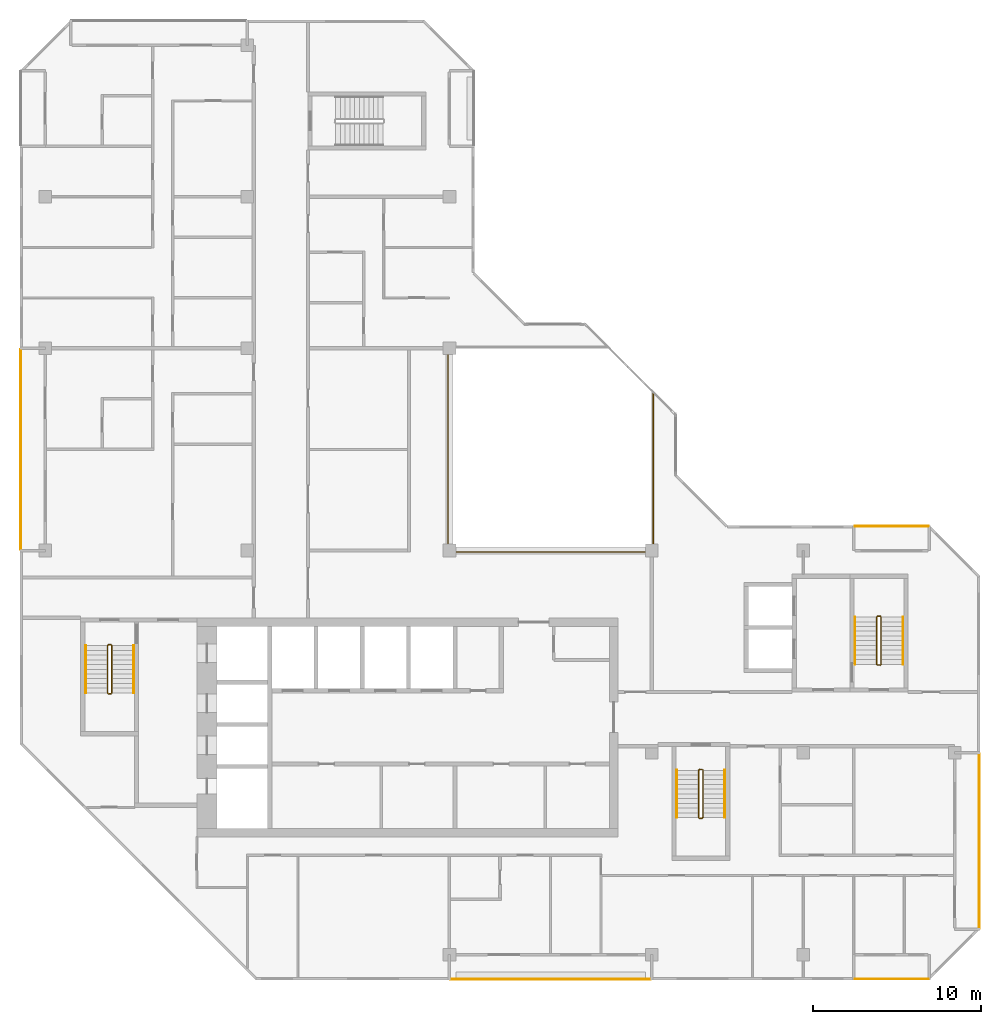
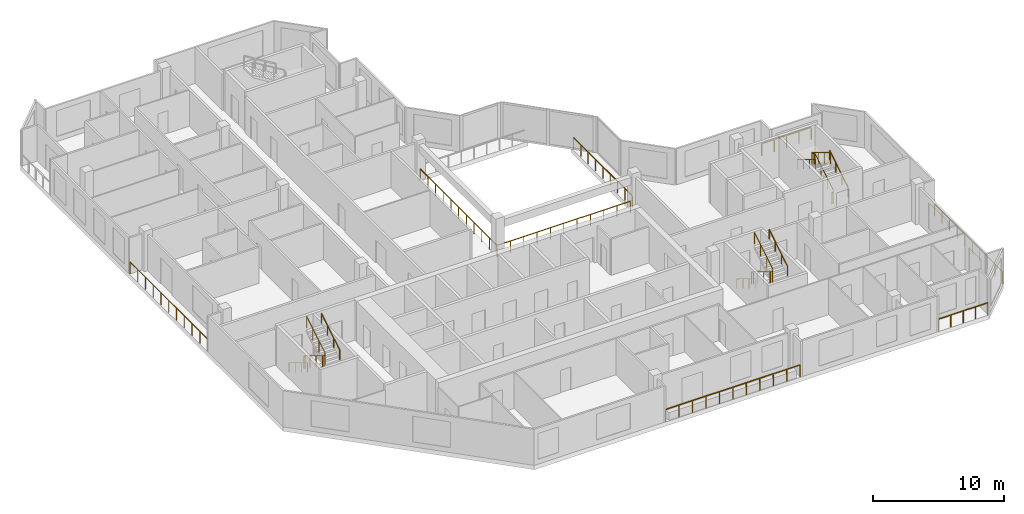
# One storey, part 11 of 12: 16 railings.
"""IFC4 building model written with IfcOpenShell, lengths in metres."""

from ifc_helpers import new_model, si_unit, direction, frame, origin, origin_2d, place, context, subcontext, project, spatial, rectangle, extrude, material, type_object, element, save


model = new_model("IFC4")

# Units and contexts
model_context = context("Model", 3, precision=1e-05, world=origin(), true_north=direction((0.0, 1.0)))
body_context = subcontext(model_context, "Body", "Model", "MODEL_VIEW")
ifc_project = project(units=[si_unit("LENGTHUNIT", "METRE"), si_unit("AREAUNIT", "SQUARE_METRE"), si_unit("VOLUMEUNIT", "CUBIC_METRE"), si_unit("PLANEANGLEUNIT", "RADIAN"), si_unit("MASSUNIT", "GRAM", prefix="KILO")], contexts=[model_context])

# Site, building, storey
site_placement = place(None, origin())
site = spatial("IfcSite", under=ifc_project, at=site_placement, CompositionType="ELEMENT")
building_placement = place(site_placement, origin())
building = spatial("IfcBuilding", under=site, at=building_placement, Name="Chenar Terraces", CompositionType="ELEMENT")
storey_placement = place(building_placement, frame((0.0, 0.0, 342.64990234375)))
storey = spatial("IfcBuildingStorey", under=building, at=storey_placement, Name="L79", CompositionType="ELEMENT", Elevation=342.64990234375)

# Railings
ifc_material_1 = material(Name="Powder-coated steel", Category="steel")
railing_type_1 = type_object("IfcRailingType", Name="Guard 1100 steel rail with glass infill", PredefinedType="GUARDRAIL", material=ifc_material_1)
railing_1_placement = place(storey_placement, frame((23.89990234375, 35.625, 0.0)))
element("IfcRailing", 1, at=railing_1_placement, inside=storey, type_object=railing_type_1, Name="Guard L79-1", PredefinedType="GUARDRAIL", context=body_context, shape_type="SweptSolid", body=[
    extrude(rectangle(XDim=0.06005859375, YDim=0.06005859375, at=origin_2d()), frame((0.0, 0.0, 1.070068359375), z_axis=(0.0, -1.0, 0.0), x_axis=(1.0, 0.0, 0.0)), (0.0, 0.0, 1.0), 11.72509765625),
    extrude(rectangle(XDim=0.06005859375, YDim=0.06005859375, at=origin_2d()), frame((0.0, -11.72509765625, 1.070068359375), z_axis=(1.0, 0.0, 0.0), x_axis=(0.0, 1.0, 0.0)), (0.0, 0.0, 1.0), 11.72509765625),
    extrude(rectangle(XDim=0.050048828125, YDim=0.050048828125, at=origin_2d()), origin(), (0.0, 0.0, 1.0), 1.0400390625),
    extrude(rectangle(XDim=0.050048828125, YDim=0.050048828125, at=origin_2d()), frame((0.0, -1.172607421875, 0.0)), (0.0, 0.0, 1.0), 1.0400390625),
    extrude(rectangle(XDim=0.050048828125, YDim=0.050048828125, at=origin_2d()), frame((0.0, -2.344970703125, 0.0)), (0.0, 0.0, 1.0), 1.0400390625),
    extrude(rectangle(XDim=0.050048828125, YDim=0.050048828125, at=origin_2d()), frame((0.0, -3.517578125, 0.0)), (0.0, 0.0, 1.0), 1.0400390625),
    extrude(rectangle(XDim=0.050048828125, YDim=0.050048828125, at=origin_2d()), frame((0.0, -4.68994140625, 0.0)), (0.0, 0.0, 1.0), 1.0400390625),
    extrude(rectangle(XDim=0.050048828125, YDim=0.050048828125, at=origin_2d()), frame((0.0, -5.862548828125, 0.0)), (0.0, 0.0, 1.0), 1.0400390625),
    extrude(rectangle(XDim=0.050048828125, YDim=0.050048828125, at=origin_2d()), frame((0.0, -7.03515625, 0.0)), (0.0, 0.0, 1.0), 1.0400390625),
    extrude(rectangle(XDim=0.050048828125, YDim=0.050048828125, at=origin_2d()), frame((0.0, -8.20751953125, 0.0)), (0.0, 0.0, 1.0), 1.0400390625),
    extrude(rectangle(XDim=0.050048828125, YDim=0.050048828125, at=origin_2d()), frame((0.0, -9.380126953125, 0.0)), (0.0, 0.0, 1.0), 1.0400390625),
    extrude(rectangle(XDim=0.050048828125, YDim=0.050048828125, at=origin_2d()), frame((0.0, -10.552490234375, 0.0)), (0.0, 0.0, 1.0), 1.0400390625),
    extrude(rectangle(XDim=0.050048828125, YDim=0.050048828125, at=origin_2d()), frame((0.0, -11.72509765625, 0.0)), (0.0, 0.0, 1.0), 1.0400390625),
    extrude(rectangle(XDim=0.050048828125, YDim=0.050048828125, at=origin_2d()), frame((1.172607421875, -11.72509765625, 0.0)), (0.0, 0.0, 1.0), 1.0400390625),
    extrude(rectangle(XDim=0.050048828125, YDim=0.050048828125, at=origin_2d()), frame((2.344970703125, -11.72509765625, 0.0)), (0.0, 0.0, 1.0), 1.0400390625),
    extrude(rectangle(XDim=0.050048828125, YDim=0.050048828125, at=origin_2d()), frame((3.517578125, -11.72509765625, 0.0)), (0.0, 0.0, 1.0), 1.0400390625),
    extrude(rectangle(XDim=0.050048828125, YDim=0.050048828125, at=origin_2d()), frame((4.68994140625, -11.72509765625, 0.0)), (0.0, 0.0, 1.0), 1.0400390625),
    extrude(rectangle(XDim=0.050048828125, YDim=0.050048828125, at=origin_2d()), frame((5.862548828125, -11.72509765625, 0.0)), (0.0, 0.0, 1.0), 1.0400390625),
    extrude(rectangle(XDim=0.050048828125, YDim=0.050048828125, at=origin_2d()), frame((7.03515625, -11.72509765625, 0.0)), (0.0, 0.0, 1.0), 1.0400390625),
    extrude(rectangle(XDim=0.050048828125, YDim=0.050048828125, at=origin_2d()), frame((8.20751953125, -11.72509765625, 0.0)), (0.0, 0.0, 1.0), 1.0400390625),
    extrude(rectangle(XDim=0.050048828125, YDim=0.050048828125, at=origin_2d()), frame((9.380126953125, -11.72509765625, 0.0)), (0.0, 0.0, 1.0), 1.0400390625),
    extrude(rectangle(XDim=0.050048828125, YDim=0.050048828125, at=origin_2d()), frame((10.552490234375, -11.72509765625, 0.0)), (0.0, 0.0, 1.0), 1.0400390625),
    extrude(rectangle(XDim=0.050048828125, YDim=0.050048828125, at=origin_2d()), frame((11.72509765625, -11.72509765625, 0.0)), (0.0, 0.0, 1.0), 1.0400390625),
])
railing_2_placement = place(storey_placement, frame((36.10009765625, 24.425048828125, 0.0)))
element("IfcRailing", 2, at=railing_2_placement, inside=storey, type_object=railing_type_1, Name="Guard L79-3", PredefinedType="GUARDRAIL", context=body_context, shape_type="SweptSolid", body=[
    extrude(rectangle(XDim=0.06005859375, YDim=0.06005859375, at=origin_2d()), frame((0.0, 0.0, 1.070068359375), z_axis=(0.0, 1.0, 0.0), x_axis=(-1.0, 0.0, 0.0)), (0.0, 0.0, 1.0), 8.974853515625),
    extrude(rectangle(XDim=0.050048828125, YDim=0.050048828125, at=origin_2d()), origin(), (0.0, 0.0, 1.0), 1.0400390625),
    extrude(rectangle(XDim=0.050048828125, YDim=0.050048828125, at=origin_2d()), frame((0.0, 1.121826171875, 0.0)), (0.0, 0.0, 1.0), 1.0400390625),
    extrude(rectangle(XDim=0.050048828125, YDim=0.050048828125, at=origin_2d()), frame((0.0, 2.24365234375, 0.0)), (0.0, 0.0, 1.0), 1.0400390625),
    extrude(rectangle(XDim=0.050048828125, YDim=0.050048828125, at=origin_2d()), frame((0.0, 3.365478515625, 0.0)), (0.0, 0.0, 1.0), 1.0400390625),
    extrude(rectangle(XDim=0.050048828125, YDim=0.050048828125, at=origin_2d()), frame((0.0, 4.4873046875, 0.0)), (0.0, 0.0, 1.0), 1.0400390625),
    extrude(rectangle(XDim=0.050048828125, YDim=0.050048828125, at=origin_2d()), frame((0.0, 5.609375, 0.0)), (0.0, 0.0, 1.0), 1.0400390625),
    extrude(rectangle(XDim=0.050048828125, YDim=0.050048828125, at=origin_2d()), frame((0.0, 6.731201171875, 0.0)), (0.0, 0.0, 1.0), 1.0400390625),
    extrude(rectangle(XDim=0.050048828125, YDim=0.050048828125, at=origin_2d()), frame((0.0, 7.85302734375, 0.0)), (0.0, 0.0, 1.0), 1.0400390625),
    extrude(rectangle(XDim=0.050048828125, YDim=0.050048828125, at=origin_2d()), frame((0.0, 8.974853515625, 0.0)), (0.0, 0.0, 1.0), 1.0400390625),
])
ifc_material_2 = material(Name="Stainless steel and glass", Category="steel")
railing_type_2 = type_object("IfcRailingType", Name="Loggia guard 1150", PredefinedType="GUARDRAIL", material=ifc_material_2)
railing_3_placement = place(storey_placement, frame((55.449951171875, 1.574951171875, 0.0)))
element("IfcRailing", 3, at=railing_3_placement, inside=storey, type_object=railing_type_2, Name="Loggia guard", PredefinedType="GUARDRAIL", context=body_context, shape_type="SweptSolid", body=[
    extrude(rectangle(XDim=0.048095703125, YDim=0.048095703125, at=origin_2d()), frame((0.0, 0.0, 1.1259765625), z_axis=(0.0, 1.0, 0.0), x_axis=(-1.0, 0.0, 0.0)), (0.0, 0.0, 1.0), 10.35009765625),
    extrude(rectangle(XDim=0.0419921875, YDim=0.0419921875, at=origin_2d()), origin(), (0.0, 0.0, 1.0), 1.101806640625),
    extrude(rectangle(XDim=0.0419921875, YDim=0.0419921875, at=origin_2d()), frame((0.0, 1.14990234375, 0.0)), (0.0, 0.0, 1.0), 1.101806640625),
    extrude(rectangle(XDim=0.0419921875, YDim=0.0419921875, at=origin_2d()), frame((0.0, 2.300048828125, 0.0)), (0.0, 0.0, 1.0), 1.101806640625),
    extrude(rectangle(XDim=0.0419921875, YDim=0.0419921875, at=origin_2d()), frame((0.0, 3.449951171875, 0.0)), (0.0, 0.0, 1.0), 1.101806640625),
    extrude(rectangle(XDim=0.0419921875, YDim=0.0419921875, at=origin_2d()), frame((0.0, 4.60009765625, 0.0)), (0.0, 0.0, 1.0), 1.101806640625),
    extrude(rectangle(XDim=0.0419921875, YDim=0.0419921875, at=origin_2d()), frame((0.0, 5.75, 0.0)), (0.0, 0.0, 1.0), 1.101806640625),
    extrude(rectangle(XDim=0.0419921875, YDim=0.0419921875, at=origin_2d()), frame((0.0, 6.900146484375, 0.0)), (0.0, 0.0, 1.0), 1.101806640625),
    extrude(rectangle(XDim=0.0419921875, YDim=0.0419921875, at=origin_2d()), frame((0.0, 8.050048828125, 0.0)), (0.0, 0.0, 1.0), 1.101806640625),
    extrude(rectangle(XDim=0.0419921875, YDim=0.0419921875, at=origin_2d()), frame((0.0, 9.2001953125, 0.0)), (0.0, 0.0, 1.0), 1.101806640625),
    extrude(rectangle(XDim=0.0419921875, YDim=0.0419921875, at=origin_2d()), frame((0.0, 10.35009765625, 0.0)), (0.0, 0.0, 1.0), 1.101806640625),
])
railing_4_placement = place(storey_placement, frame((52.425048828125, 25.449951171875, 0.0)))
element("IfcRailing", 4, at=railing_4_placement, inside=storey, type_object=railing_type_2, Name="Loggia guard", PredefinedType="GUARDRAIL", context=body_context, shape_type="SweptSolid", body=[
    extrude(rectangle(XDim=0.048095703125, YDim=0.048095703125, at=origin_2d()), frame((0.0, 0.0, 1.1259765625), z_axis=(-1.0, 0.0, 0.0), x_axis=(0.0, -1.0, 0.0)), (0.0, 0.0, 1.0), 4.35009765625),
    extrude(rectangle(XDim=0.0419921875, YDim=0.0419921875, at=origin_2d()), origin(), (0.0, 0.0, 1.0), 1.101806640625),
    extrude(rectangle(XDim=0.0419921875, YDim=0.0419921875, at=origin_2d()), frame((-1.08740234375, 0.0, 0.0)), (0.0, 0.0, 1.0), 1.101806640625),
    extrude(rectangle(XDim=0.0419921875, YDim=0.0419921875, at=origin_2d()), frame((-2.175048828125, 0.0, 0.0)), (0.0, 0.0, 1.0), 1.101806640625),
    extrude(rectangle(XDim=0.0419921875, YDim=0.0419921875, at=origin_2d()), frame((-3.2626953125, 0.0, 0.0)), (0.0, 0.0, 1.0), 1.101806640625),
    extrude(rectangle(XDim=0.0419921875, YDim=0.0419921875, at=origin_2d()), frame((-4.35009765625, 0.0, 0.0)), (0.0, 0.0, 1.0), 1.101806640625),
])
railing_5_placement = place(storey_placement, frame((24.074951171875, -1.449951171875, 0.0)))
element("IfcRailing", 5, at=railing_5_placement, inside=storey, type_object=railing_type_2, Name="Loggia guard", PredefinedType="GUARDRAIL", context=body_context, shape_type="SweptSolid", body=[
    extrude(rectangle(XDim=0.048095703125, YDim=0.048095703125, at=origin_2d()), frame((0.0, 0.0, 1.1259765625), z_axis=(1.0, 0.0, 0.0), x_axis=(0.0, 1.0, 0.0)), (0.0, 0.0, 1.0), 11.85009765625),
    extrude(rectangle(XDim=0.0419921875, YDim=0.0419921875, at=origin_2d()), origin(), (0.0, 0.0, 1.0), 1.101806640625),
    extrude(rectangle(XDim=0.0419921875, YDim=0.0419921875, at=origin_2d()), frame((1.18505859375, 0.0, 0.0)), (0.0, 0.0, 1.0), 1.101806640625),
    extrude(rectangle(XDim=0.0419921875, YDim=0.0419921875, at=origin_2d()), frame((2.3701171875, 0.0, 0.0)), (0.0, 0.0, 1.0), 1.101806640625),
    extrude(rectangle(XDim=0.0419921875, YDim=0.0419921875, at=origin_2d()), frame((3.554931640625, 0.0, 0.0)), (0.0, 0.0, 1.0), 1.101806640625),
    extrude(rectangle(XDim=0.0419921875, YDim=0.0419921875, at=origin_2d()), frame((4.739990234375, 0.0, 0.0)), (0.0, 0.0, 1.0), 1.101806640625),
    extrude(rectangle(XDim=0.0419921875, YDim=0.0419921875, at=origin_2d()), frame((5.925048828125, 0.0, 0.0)), (0.0, 0.0, 1.0), 1.101806640625),
    extrude(rectangle(XDim=0.0419921875, YDim=0.0419921875, at=origin_2d()), frame((7.110107421875, 0.0, 0.0)), (0.0, 0.0, 1.0), 1.101806640625),
    extrude(rectangle(XDim=0.0419921875, YDim=0.0419921875, at=origin_2d()), frame((8.295166015625, 0.0, 0.0)), (0.0, 0.0, 1.0), 1.101806640625),
    extrude(rectangle(XDim=0.0419921875, YDim=0.0419921875, at=origin_2d()), frame((9.47998046875, 0.0, 0.0)), (0.0, 0.0, 1.0), 1.101806640625),
    extrude(rectangle(XDim=0.0419921875, YDim=0.0419921875, at=origin_2d()), frame((10.6650390625, 0.0, 0.0)), (0.0, 0.0, 1.0), 1.101806640625),
    extrude(rectangle(XDim=0.0419921875, YDim=0.0419921875, at=origin_2d()), frame((11.85009765625, 0.0, 0.0)), (0.0, 0.0, 1.0), 1.101806640625),
])
railing_6_placement = place(storey_placement, frame((48.074951171875, -1.449951171875, 0.0)))
element("IfcRailing", 6, at=railing_6_placement, inside=storey, type_object=railing_type_2, Name="Loggia guard", PredefinedType="GUARDRAIL", context=body_context, shape_type="SweptSolid", body=[
    extrude(rectangle(XDim=0.048095703125, YDim=0.048095703125, at=origin_2d()), frame((0.0, 0.0, 1.1259765625), z_axis=(1.0, 0.0, 0.0), x_axis=(0.0, 1.0, 0.0)), (0.0, 0.0, 1.0), 4.35009765625),
    extrude(rectangle(XDim=0.0419921875, YDim=0.0419921875, at=origin_2d()), origin(), (0.0, 0.0, 1.0), 1.101806640625),
    extrude(rectangle(XDim=0.0419921875, YDim=0.0419921875, at=origin_2d()), frame((1.08740234375, 0.0, 0.0)), (0.0, 0.0, 1.0), 1.101806640625),
    extrude(rectangle(XDim=0.0419921875, YDim=0.0419921875, at=origin_2d()), frame((2.175048828125, 0.0, 0.0)), (0.0, 0.0, 1.0), 1.101806640625),
    extrude(rectangle(XDim=0.0419921875, YDim=0.0419921875, at=origin_2d()), frame((3.2626953125, 0.0, 0.0)), (0.0, 0.0, 1.0), 1.101806640625),
    extrude(rectangle(XDim=0.0419921875, YDim=0.0419921875, at=origin_2d()), frame((4.35009765625, 0.0, 0.0)), (0.0, 0.0, 1.0), 1.101806640625),
])
railing_7_placement = place(storey_placement, frame((-1.449951171875, 35.925048828125, 0.0)))
element("IfcRailing", 7, at=railing_7_placement, inside=storey, type_object=railing_type_2, Name="Loggia guard", PredefinedType="GUARDRAIL", context=body_context, shape_type="SweptSolid", body=[
    extrude(rectangle(XDim=0.048095703125, YDim=0.048095703125, at=origin_2d()), frame((0.0, 0.0, 1.1259765625), z_axis=(0.0, -1.0, 0.0), x_axis=(1.0, 0.0, 0.0)), (0.0, 0.0, 1.0), 11.85009765625),
    extrude(rectangle(XDim=0.0419921875, YDim=0.0419921875, at=origin_2d()), origin(), (0.0, 0.0, 1.0), 1.101806640625),
    extrude(rectangle(XDim=0.0419921875, YDim=0.0419921875, at=origin_2d()), frame((0.0, -1.18505859375, 0.0)), (0.0, 0.0, 1.0), 1.101806640625),
    extrude(rectangle(XDim=0.0419921875, YDim=0.0419921875, at=origin_2d()), frame((0.0, -2.3701171875, 0.0)), (0.0, 0.0, 1.0), 1.101806640625),
    extrude(rectangle(XDim=0.0419921875, YDim=0.0419921875, at=origin_2d()), frame((0.0, -3.554931640625, 0.0)), (0.0, 0.0, 1.0), 1.101806640625),
    extrude(rectangle(XDim=0.0419921875, YDim=0.0419921875, at=origin_2d()), frame((0.0, -4.739990234375, 0.0)), (0.0, 0.0, 1.0), 1.101806640625),
    extrude(rectangle(XDim=0.0419921875, YDim=0.0419921875, at=origin_2d()), frame((0.0, -5.925048828125, 0.0)), (0.0, 0.0, 1.0), 1.101806640625),
    extrude(rectangle(XDim=0.0419921875, YDim=0.0419921875, at=origin_2d()), frame((0.0, -7.110107421875, 0.0)), (0.0, 0.0, 1.0), 1.101806640625),
    extrude(rectangle(XDim=0.0419921875, YDim=0.0419921875, at=origin_2d()), frame((0.0, -8.295166015625, 0.0)), (0.0, 0.0, 1.0), 1.101806640625),
    extrude(rectangle(XDim=0.0419921875, YDim=0.0419921875, at=origin_2d()), frame((0.0, -9.47998046875, 0.0)), (0.0, 0.0, 1.0), 1.101806640625),
    extrude(rectangle(XDim=0.0419921875, YDim=0.0419921875, at=origin_2d()), frame((0.0, -10.6650390625, 0.0)), (0.0, 0.0, 1.0), 1.101806640625),
    extrude(rectangle(XDim=0.0419921875, YDim=0.0419921875, at=origin_2d()), frame((0.0, -11.85009765625, 0.0)), (0.0, 0.0, 1.0), 1.101806640625),
])
ifc_material_3 = material(Name="Powder-coated steel", Category="steel")
railing_type_3 = type_object("IfcRailingType", Name="Stair guard 1100", PredefinedType="GUARDRAIL", material=ifc_material_3)
railing_8_placement = place(storey_placement, frame((3.949951171875, 18.35009765625, 3.75)))
element("IfcRailing", 8, at=railing_8_placement, inside=storey, type_object=railing_type_3, Name="L79 ST1 stair guard 1", PredefinedType="GUARDRAIL", context=body_context, shape_type="SweptSolid", body=[
    extrude(rectangle(XDim=0.048095703125, YDim=0.048095703125, at=origin_2d()), frame((0.0, 0.0, 1.076171875), z_axis=(0.0, -0.854202870247, -0.519939858505), x_axis=(1.0, 0.0, 0.0)), (0.0, 0.0, 1.0), 3.278076171875),
    extrude(rectangle(XDim=0.048095703125, YDim=0.048095703125, at=origin_2d()), frame((0.0, -2.800048828125, -0.62841796875), z_axis=(-0.270899902878, -0.270899902878, -0.923702595667), x_axis=(0.707106781187, -0.707106781187, 0.0)), (0.0, 0.0, 1.0), 0.184814453125),
    extrude(rectangle(XDim=0.048095703125, YDim=0.048095703125, at=origin_2d()), frame((-0.050048828125, -2.85009765625, -0.798828125), z_axis=(-1.0, 0.0, 0.0), x_axis=(0.0, -1.0, 0.0)), (0.0, 0.0, 1.0), 0.14990234375),
    extrude(rectangle(XDim=0.048095703125, YDim=0.048095703125, at=origin_2d()), frame((-0.199951171875, -2.85009765625, -0.798828125), z_axis=(-0.707106781187, 0.707106781187, 0.0), x_axis=(-0.707106781187, -0.707106781187, 0.0)), (0.0, 0.0, 1.0), 0.07080078125),
    extrude(rectangle(XDim=0.048095703125, YDim=0.048095703125, at=origin_2d()), frame((-0.25, -2.800048828125, -0.798828125), z_axis=(0.0, 0.854202870247, -0.519939858505), x_axis=(-1.0, 0.0, 0.0)), (0.0, 0.0, 1.0), 3.278076171875),
    extrude(rectangle(XDim=0.048095703125, YDim=0.048095703125, at=origin_2d()), frame((-0.25, 0.0, -2.50341796875), z_axis=(0.270996696079, 0.269674760976, -0.924032636873), x_axis=(-0.705375805398, 0.708833529934, 0.0)), (0.0, 0.0, 1.0), 0.1845703125),
    extrude(rectangle(XDim=0.048095703125, YDim=0.048095703125, at=origin_2d()), frame((-0.199951171875, 0.0498046875, -2.673828125), z_axis=(1.0, 0.0, 0.0), x_axis=(0.0, 1.0, 0.0)), (0.0, 0.0, 1.0), 0.14990234375),
    extrude(rectangle(XDim=0.0419921875, YDim=0.0419921875, at=origin_2d()), origin(), (0.0, 0.0, 1.0), 1.052001953125),
    extrude(rectangle(XDim=0.0419921875, YDim=0.0419921875, at=origin_2d()), frame((0.0, -0.933349609375, -0.568115234375)), (0.0, 0.0, 1.0), 1.052001953125),
    extrude(rectangle(XDim=0.0419921875, YDim=0.0419921875, at=origin_2d()), frame((0.0, -1.86669921875, -1.13623046875)), (0.0, 0.0, 1.0), 1.052001953125),
    extrude(rectangle(XDim=0.0419921875, YDim=0.0419921875, at=origin_2d()), frame((0.0, -2.800048828125, -1.704345703125)), (0.0, 0.0, 1.0), 1.052001953125),
    extrude(rectangle(XDim=0.0419921875, YDim=0.0419921875, at=origin_2d()), frame((-0.050048828125, -2.85009765625, -1.875)), (0.0, 0.0, 1.0), 1.052001953125),
    extrude(rectangle(XDim=0.0419921875, YDim=0.0419921875, at=origin_2d()), frame((-0.199951171875, -2.85009765625, -1.875)), (0.0, 0.0, 1.0), 1.052001953125),
    extrude(rectangle(XDim=0.0419921875, YDim=0.0419921875, at=origin_2d()), frame((-0.25, -2.800048828125, -1.875)), (0.0, 0.0, 1.0), 1.052001953125),
    extrude(rectangle(XDim=0.0419921875, YDim=0.0419921875, at=origin_2d()), frame((-0.25, -1.86669921875, -2.443115234375)), (0.0, 0.0, 1.0), 1.052001953125),
    extrude(rectangle(XDim=0.0419921875, YDim=0.0419921875, at=origin_2d()), frame((-0.25, -0.933349609375, -3.01123046875)), (0.0, 0.0, 1.0), 1.052001953125),
    extrude(rectangle(XDim=0.0419921875, YDim=0.0419921875, at=origin_2d()), frame((-0.25, 0.0, -3.579345703125)), (0.0, 0.0, 1.0), 1.052001953125),
    extrude(rectangle(XDim=0.0419921875, YDim=0.0419921875, at=origin_2d()), frame((-0.199951171875, 0.0498046875, -3.75)), (0.0, 0.0, 1.0), 1.052001953125),
    extrude(rectangle(XDim=0.0419921875, YDim=0.0419921875, at=origin_2d()), frame((-0.050048828125, 0.0498046875, -3.75)), (0.0, 0.0, 1.0), 1.052001953125),
])
railing_9_placement = place(storey_placement, frame((39.050048828125, 10.949951171875, 3.75)))
element("IfcRailing", 9, at=railing_9_placement, inside=storey, type_object=railing_type_3, Name="L79 ST2 stair guard 1", PredefinedType="GUARDRAIL", context=body_context, shape_type="SweptSolid", body=[
    extrude(rectangle(XDim=0.048095703125, YDim=0.048095703125, at=origin_2d()), frame((0.0, 0.0, 1.076171875), z_axis=(0.0, -0.854202870247, -0.519939858505), x_axis=(1.0, 0.0, 0.0)), (0.0, 0.0, 1.0), 3.278076171875),
    extrude(rectangle(XDim=0.048095703125, YDim=0.048095703125, at=origin_2d()), frame((0.0, -2.800048828125, -0.62841796875), z_axis=(-0.270996696079, -0.269674760976, -0.924032636873), x_axis=(0.705375805398, -0.708833529934, 0.0)), (0.0, 0.0, 1.0), 0.1845703125),
    extrude(rectangle(XDim=0.048095703125, YDim=0.048095703125, at=origin_2d()), frame((-0.050048828125, -2.849853515625, -0.798828125), z_axis=(-1.0, 0.0, 0.0), x_axis=(0.0, -1.0, 0.0)), (0.0, 0.0, 1.0), 0.14990234375),
    extrude(rectangle(XDim=0.048095703125, YDim=0.048095703125, at=origin_2d()), frame((-0.199951171875, -2.849853515625, -0.798828125), z_axis=(-0.708833529934, 0.705375805398, 0.0), x_axis=(-0.705375805398, -0.708833529934, 0.0)), (0.0, 0.0, 1.0), 0.070556640625),
    extrude(rectangle(XDim=0.048095703125, YDim=0.048095703125, at=origin_2d()), frame((-0.25, -2.800048828125, -0.798828125), z_axis=(0.0, 0.854202870247, -0.519939858505), x_axis=(-1.0, 0.0, 0.0)), (0.0, 0.0, 1.0), 3.278076171875),
    extrude(rectangle(XDim=0.048095703125, YDim=0.048095703125, at=origin_2d()), frame((-0.25, 0.0, -2.50341796875), z_axis=(0.270899902878, 0.270899902878, -0.923702595667), x_axis=(-0.707106781187, 0.707106781187, 0.0)), (0.0, 0.0, 1.0), 0.184814453125),
    extrude(rectangle(XDim=0.048095703125, YDim=0.048095703125, at=origin_2d()), frame((-0.199951171875, 0.050048828125, -2.673828125), z_axis=(1.0, 0.0, 0.0), x_axis=(0.0, 1.0, 0.0)), (0.0, 0.0, 1.0), 0.14990234375),
    extrude(rectangle(XDim=0.0419921875, YDim=0.0419921875, at=origin_2d()), origin(), (0.0, 0.0, 1.0), 1.052001953125),
    extrude(rectangle(XDim=0.0419921875, YDim=0.0419921875, at=origin_2d()), frame((0.0, -0.933349609375, -0.568115234375)), (0.0, 0.0, 1.0), 1.052001953125),
    extrude(rectangle(XDim=0.0419921875, YDim=0.0419921875, at=origin_2d()), frame((0.0, -1.86669921875, -1.13623046875)), (0.0, 0.0, 1.0), 1.052001953125),
    extrude(rectangle(XDim=0.0419921875, YDim=0.0419921875, at=origin_2d()), frame((0.0, -2.800048828125, -1.704345703125)), (0.0, 0.0, 1.0), 1.052001953125),
    extrude(rectangle(XDim=0.0419921875, YDim=0.0419921875, at=origin_2d()), frame((-0.050048828125, -2.849853515625, -1.875)), (0.0, 0.0, 1.0), 1.052001953125),
    extrude(rectangle(XDim=0.0419921875, YDim=0.0419921875, at=origin_2d()), frame((-0.199951171875, -2.849853515625, -1.875)), (0.0, 0.0, 1.0), 1.052001953125),
    extrude(rectangle(XDim=0.0419921875, YDim=0.0419921875, at=origin_2d()), frame((-0.25, -2.800048828125, -1.875)), (0.0, 0.0, 1.0), 1.052001953125),
    extrude(rectangle(XDim=0.0419921875, YDim=0.0419921875, at=origin_2d()), frame((-0.25, -1.86669921875, -2.443115234375)), (0.0, 0.0, 1.0), 1.052001953125),
    extrude(rectangle(XDim=0.0419921875, YDim=0.0419921875, at=origin_2d()), frame((-0.25, -0.933349609375, -3.01123046875)), (0.0, 0.0, 1.0), 1.052001953125),
    extrude(rectangle(XDim=0.0419921875, YDim=0.0419921875, at=origin_2d()), frame((-0.25, 0.0, -3.579345703125)), (0.0, 0.0, 1.0), 1.052001953125),
    extrude(rectangle(XDim=0.0419921875, YDim=0.0419921875, at=origin_2d()), frame((-0.199951171875, 0.050048828125, -3.75)), (0.0, 0.0, 1.0), 1.052001953125),
    extrude(rectangle(XDim=0.0419921875, YDim=0.0419921875, at=origin_2d()), frame((-0.050048828125, 0.050048828125, -3.75)), (0.0, 0.0, 1.0), 1.052001953125),
])
railing_10_placement = place(storey_placement, frame((49.375, 17.25, 3.75)))
element("IfcRailing", 10, at=railing_10_placement, inside=storey, type_object=railing_type_3, Name="L79 ST3 stair guard 1", PredefinedType="GUARDRAIL", context=body_context, shape_type="SweptSolid", body=[
    extrude(rectangle(XDim=0.048095703125, YDim=0.048095703125, at=origin_2d()), frame((0.0, 0.0, 1.076171875), z_axis=(0.0, 0.854202870247, -0.519939858505), x_axis=(-1.0, 0.0, 0.0)), (0.0, 0.0, 1.0), 3.278076171875),
    extrude(rectangle(XDim=0.048095703125, YDim=0.048095703125, at=origin_2d()), frame((0.0, 2.800048828125, -0.62841796875), z_axis=(0.270899902878, 0.270899902878, -0.923702595667), x_axis=(-0.707106781187, 0.707106781187, 0.0)), (0.0, 0.0, 1.0), 0.184814453125),
    extrude(rectangle(XDim=0.048095703125, YDim=0.048095703125, at=origin_2d()), frame((0.050048828125, 2.85009765625, -0.798828125), z_axis=(1.0, 0.0, 0.0), x_axis=(0.0, 1.0, 0.0)), (0.0, 0.0, 1.0), 0.14990234375),
    extrude(rectangle(XDim=0.048095703125, YDim=0.048095703125, at=origin_2d()), frame((0.199951171875, 2.85009765625, -0.798828125), z_axis=(0.707106781187, -0.707106781187, 0.0), x_axis=(0.707106781187, 0.707106781187, 0.0)), (0.0, 0.0, 1.0), 0.07080078125),
    extrude(rectangle(XDim=0.048095703125, YDim=0.048095703125, at=origin_2d()), frame((0.25, 2.800048828125, -0.798828125), z_axis=(0.0, -0.854202870247, -0.519939858505), x_axis=(1.0, 0.0, 0.0)), (0.0, 0.0, 1.0), 3.278076171875),
    extrude(rectangle(XDim=0.048095703125, YDim=0.048095703125, at=origin_2d()), frame((0.25, 0.0, -2.50341796875), z_axis=(-0.270899902878, -0.270899902878, -0.923702595667), x_axis=(0.707106781187, -0.707106781187, 0.0)), (0.0, 0.0, 1.0), 0.184814453125),
    extrude(rectangle(XDim=0.048095703125, YDim=0.048095703125, at=origin_2d()), frame((0.199951171875, -0.050048828125, -2.673828125), z_axis=(-1.0, 0.0, 0.0), x_axis=(0.0, -1.0, 0.0)), (0.0, 0.0, 1.0), 0.14990234375),
    extrude(rectangle(XDim=0.0419921875, YDim=0.0419921875, at=origin_2d()), origin(), (0.0, 0.0, 1.0), 1.052001953125),
    extrude(rectangle(XDim=0.0419921875, YDim=0.0419921875, at=origin_2d()), frame((0.0, 0.933349609375, -0.568115234375)), (0.0, 0.0, 1.0), 1.052001953125),
    extrude(rectangle(XDim=0.0419921875, YDim=0.0419921875, at=origin_2d()), frame((0.0, 1.86669921875, -1.13623046875)), (0.0, 0.0, 1.0), 1.052001953125),
    extrude(rectangle(XDim=0.0419921875, YDim=0.0419921875, at=origin_2d()), frame((0.0, 2.800048828125, -1.704345703125)), (0.0, 0.0, 1.0), 1.052001953125),
    extrude(rectangle(XDim=0.0419921875, YDim=0.0419921875, at=origin_2d()), frame((0.050048828125, 2.85009765625, -1.875)), (0.0, 0.0, 1.0), 1.052001953125),
    extrude(rectangle(XDim=0.0419921875, YDim=0.0419921875, at=origin_2d()), frame((0.199951171875, 2.85009765625, -1.875)), (0.0, 0.0, 1.0), 1.052001953125),
    extrude(rectangle(XDim=0.0419921875, YDim=0.0419921875, at=origin_2d()), frame((0.25, 2.800048828125, -1.875)), (0.0, 0.0, 1.0), 1.052001953125),
    extrude(rectangle(XDim=0.0419921875, YDim=0.0419921875, at=origin_2d()), frame((0.25, 1.86669921875, -2.443115234375)), (0.0, 0.0, 1.0), 1.052001953125),
    extrude(rectangle(XDim=0.0419921875, YDim=0.0419921875, at=origin_2d()), frame((0.25, 0.933349609375, -3.01123046875)), (0.0, 0.0, 1.0), 1.052001953125),
    extrude(rectangle(XDim=0.0419921875, YDim=0.0419921875, at=origin_2d()), frame((0.25, 0.0, -3.579345703125)), (0.0, 0.0, 1.0), 1.052001953125),
    extrude(rectangle(XDim=0.0419921875, YDim=0.0419921875, at=origin_2d()), frame((0.199951171875, -0.050048828125, -3.75)), (0.0, 0.0, 1.0), 1.052001953125),
    extrude(rectangle(XDim=0.0419921875, YDim=0.0419921875, at=origin_2d()), frame((0.050048828125, -0.050048828125, -3.75)), (0.0, 0.0, 1.0), 1.052001953125),
])
ifc_material_4 = material(Name="Powder-coated steel", Category="steel")
railing_type_4 = type_object("IfcRailingType", Name="Stair handrail 900", PredefinedType="HANDRAIL", material=ifc_material_4)
railing_11_placement = place(storey_placement, frame((2.39990234375, 18.35009765625, 0.170654296875)))
element("IfcRailing", 11, at=railing_11_placement, inside=storey, type_object=railing_type_4, Name="L79 ST1 stair handrail 1", PredefinedType="HANDRAIL", context=body_context, shape_type="SweptSolid", body=[
    extrude(rectangle(XDim=0.048095703125, YDim=0.048095703125, at=origin_2d()), frame((0.0, 0.0, 0.8759765625), z_axis=(0.0, -0.854202870247, 0.519939858505), x_axis=(1.0, 0.0, 0.0)), (0.0, 0.0, 1.0), 3.278076171875),
    extrude(rectangle(XDim=0.0419921875, YDim=0.0419921875, at=origin_2d()), origin(), (0.0, 0.0, 1.0), 0.851806640625),
    extrude(rectangle(XDim=0.0419921875, YDim=0.0419921875, at=origin_2d()), frame((0.0, -0.933349609375, 0.568115234375)), (0.0, 0.0, 1.0), 0.851806640625),
    extrude(rectangle(XDim=0.0419921875, YDim=0.0419921875, at=origin_2d()), frame((0.0, -1.86669921875, 1.13623046875)), (0.0, 0.0, 1.0), 0.851806640625),
    extrude(rectangle(XDim=0.0419921875, YDim=0.0419921875, at=origin_2d()), frame((0.0, -2.800048828125, 1.704345703125)), (0.0, 0.0, 1.0), 0.851806640625),
])
railing_12_placement = place(storey_placement, frame((5.25, 15.550048828125, 2.045654296875)))
element("IfcRailing", 12, at=railing_12_placement, inside=storey, type_object=railing_type_4, Name="L79 ST1 stair handrail 2", PredefinedType="HANDRAIL", context=body_context, shape_type="SweptSolid", body=[
    extrude(rectangle(XDim=0.048095703125, YDim=0.048095703125, at=origin_2d()), frame((0.0, 0.0, 0.8759765625), z_axis=(0.0, 0.854202870247, 0.519939858505), x_axis=(-1.0, 0.0, 0.0)), (0.0, 0.0, 1.0), 3.278076171875),
    extrude(rectangle(XDim=0.0419921875, YDim=0.0419921875, at=origin_2d()), origin(), (0.0, 0.0, 1.0), 0.851806640625),
    extrude(rectangle(XDim=0.0419921875, YDim=0.0419921875, at=origin_2d()), frame((0.0, 0.933349609375, 0.568115234375)), (0.0, 0.0, 1.0), 0.851806640625),
    extrude(rectangle(XDim=0.0419921875, YDim=0.0419921875, at=origin_2d()), frame((0.0, 1.86669921875, 1.13623046875)), (0.0, 0.0, 1.0), 0.851806640625),
    extrude(rectangle(XDim=0.0419921875, YDim=0.0419921875, at=origin_2d()), frame((0.0, 2.800048828125, 1.704345703125)), (0.0, 0.0, 1.0), 0.851806640625),
])
railing_13_placement = place(storey_placement, frame((37.5, 10.949951171875, 0.170654296875)))
element("IfcRailing", 13, at=railing_13_placement, inside=storey, type_object=railing_type_4, Name="L79 ST2 stair handrail 1", PredefinedType="HANDRAIL", context=body_context, shape_type="SweptSolid", body=[
    extrude(rectangle(XDim=0.048095703125, YDim=0.048095703125, at=origin_2d()), frame((0.0, 0.0, 0.8759765625), z_axis=(0.0, -0.854202870247, 0.519939858505), x_axis=(1.0, 0.0, 0.0)), (0.0, 0.0, 1.0), 3.278076171875),
    extrude(rectangle(XDim=0.0419921875, YDim=0.0419921875, at=origin_2d()), origin(), (0.0, 0.0, 1.0), 0.851806640625),
    extrude(rectangle(XDim=0.0419921875, YDim=0.0419921875, at=origin_2d()), frame((0.0, -0.933349609375, 0.568115234375)), (0.0, 0.0, 1.0), 0.851806640625),
    extrude(rectangle(XDim=0.0419921875, YDim=0.0419921875, at=origin_2d()), frame((0.0, -1.86669921875, 1.13623046875)), (0.0, 0.0, 1.0), 0.851806640625),
    extrude(rectangle(XDim=0.0419921875, YDim=0.0419921875, at=origin_2d()), frame((0.0, -2.800048828125, 1.704345703125)), (0.0, 0.0, 1.0), 0.851806640625),
])
for number, where, name in (
    (14, (40.35009765625, 8.14990234375, 2.045654296875), "L79 ST2 stair handrail 2"),
    (15, (50.925048828125, 17.25, 0.170654296875), "L79 ST3 stair handrail 1"),
):
    element("IfcRailing", number, at=place(storey_placement, frame(where)), inside=storey, type_object=railing_type_4, Name=name, PredefinedType="HANDRAIL", context=body_context, shape_type="SweptSolid", body=[
        extrude(rectangle(XDim=0.048095703125, YDim=0.048095703125, at=origin_2d()), frame((0.0, 0.0, 0.8759765625), z_axis=(0.0, 0.854202870247, 0.519939858505), x_axis=(-1.0, 0.0, 0.0)), (0.0, 0.0, 1.0), 3.278076171875),
        extrude(rectangle(XDim=0.0419921875, YDim=0.0419921875, at=origin_2d()), origin(), (0.0, 0.0, 1.0), 0.851806640625),
        extrude(rectangle(XDim=0.0419921875, YDim=0.0419921875, at=origin_2d()), frame((0.0, 0.933349609375, 0.568115234375)), (0.0, 0.0, 1.0), 0.851806640625),
        extrude(rectangle(XDim=0.0419921875, YDim=0.0419921875, at=origin_2d()), frame((0.0, 1.86669921875, 1.13623046875)), (0.0, 0.0, 1.0), 0.851806640625),
        extrude(rectangle(XDim=0.0419921875, YDim=0.0419921875, at=origin_2d()), frame((0.0, 2.800048828125, 1.704345703125)), (0.0, 0.0, 1.0), 0.851806640625),
    ])
railing_14_placement = place(storey_placement, frame((48.074951171875, 20.050048828125, 2.045654296875)))
element("IfcRailing", 16, at=railing_14_placement, inside=storey, type_object=railing_type_4, Name="L79 ST3 stair handrail 2", PredefinedType="HANDRAIL", context=body_context, shape_type="SweptSolid", body=[
    extrude(rectangle(XDim=0.048095703125, YDim=0.048095703125, at=origin_2d()), frame((0.0, 0.0, 0.8759765625), z_axis=(0.0, -0.854202870247, 0.519939858505), x_axis=(1.0, 0.0, 0.0)), (0.0, 0.0, 1.0), 3.278076171875),
    extrude(rectangle(XDim=0.0419921875, YDim=0.0419921875, at=origin_2d()), origin(), (0.0, 0.0, 1.0), 0.851806640625),
    extrude(rectangle(XDim=0.0419921875, YDim=0.0419921875, at=origin_2d()), frame((0.0, -0.933349609375, 0.568115234375)), (0.0, 0.0, 1.0), 0.851806640625),
    extrude(rectangle(XDim=0.0419921875, YDim=0.0419921875, at=origin_2d()), frame((0.0, -1.86669921875, 1.13623046875)), (0.0, 0.0, 1.0), 0.851806640625),
    extrude(rectangle(XDim=0.0419921875, YDim=0.0419921875, at=origin_2d()), frame((0.0, -2.800048828125, 1.704345703125)), (0.0, 0.0, 1.0), 0.851806640625),
])

save(model, "model.ifc")
